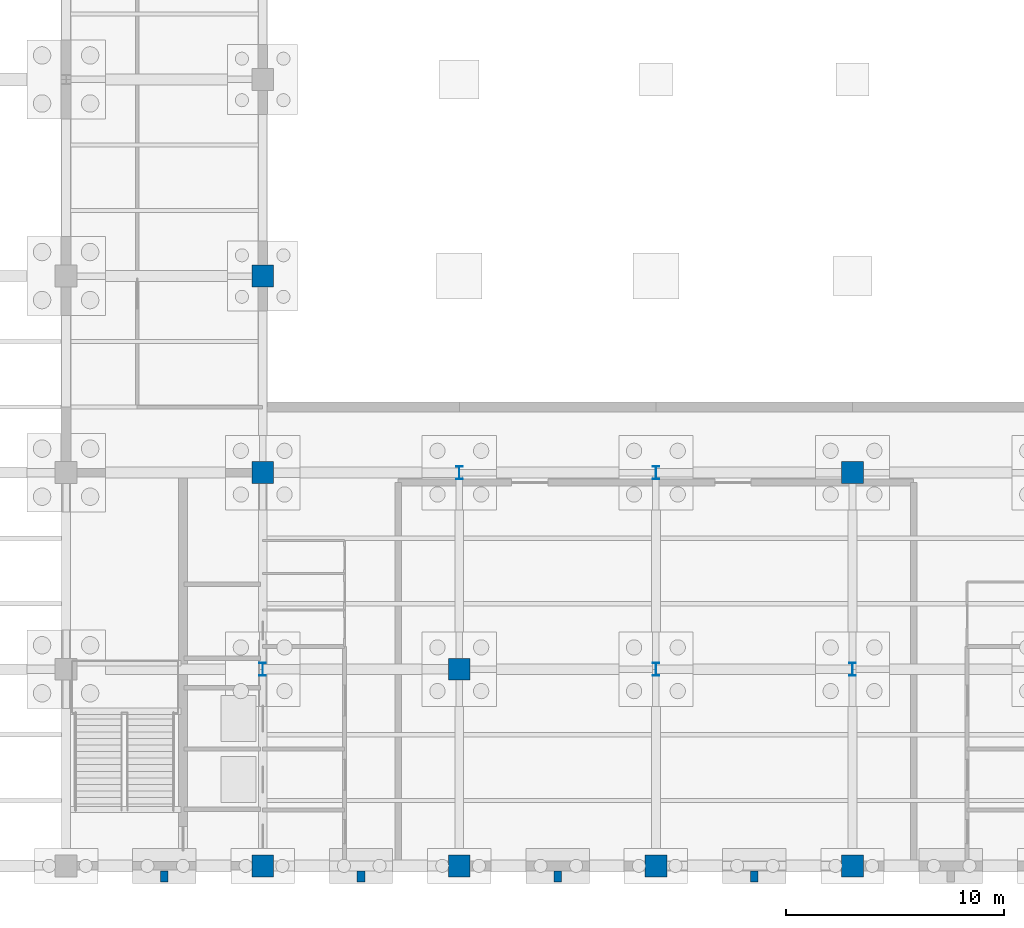
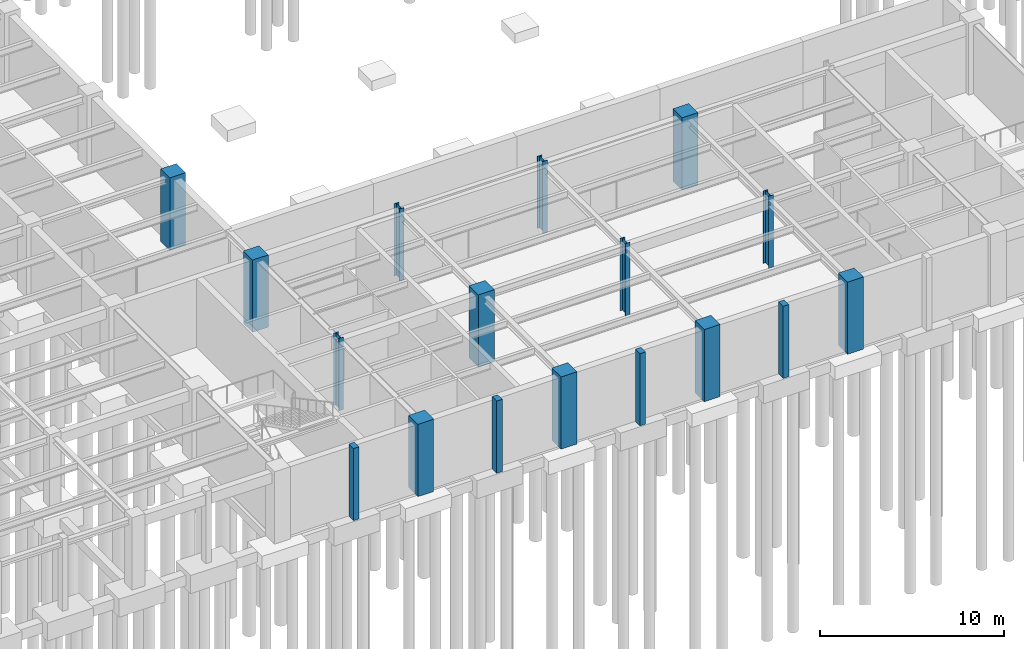
# One storey, part 12 of 49: 17 columns.
"""IFC4 building model written with IfcOpenShell, lengths in metres."""

from ifc_helpers import new_model, si_unit, direction, frame, origin, origin_2d, place, context, subcontext, project, spatial, rectangle, i_section, extrude, material, material_profile, profile_set, type_object, element, save


model = new_model("IFC4")

# Units and contexts
model_context = context("Model", 3, precision=1e-05, world=origin(), true_north=direction((0.0, 1.0)))
body_context = subcontext(model_context, "Body", "Model", "MODEL_VIEW")
ifc_project = project(units=[si_unit("LENGTHUNIT", "METRE"), si_unit("AREAUNIT", "SQUARE_METRE"), si_unit("VOLUMEUNIT", "CUBIC_METRE"), si_unit("PLANEANGLEUNIT", "RADIAN"), si_unit("MASSUNIT", "GRAM", prefix="KILO")], contexts=[model_context])

# Site, building, storey
site_placement = place(None, origin())
site = spatial("IfcSite", under=ifc_project, at=site_placement, CompositionType="ELEMENT")
building_placement = place(site_placement, origin())
building = spatial("IfcBuilding", under=site, at=building_placement, Name="Lykobir Media Centre", CompositionType="ELEMENT")
storey_placement = place(building_placement, frame((0.0, 0.0, -4.800048828125)))
storey = spatial("IfcBuildingStorey", under=building, at=storey_placement, Name="B1", CompositionType="ELEMENT", Elevation=-4.800048828125)

# Columns
ifc_material_1 = material(Name="Honed Travertine Stone", Category="masonry")
ifc_material_profile_1 = material_profile(ifc_material_1, rectangle(XDim=0.35009765625, YDim=0.5, at=origin_2d()), Name="RC PILASTER 500x350")
ifc_profile_set_1 = profile_set([ifc_material_profile_1], Name="Honed Travertine Stone")
column_type_1 = type_object("IfcColumnType", Name="PIL-500", PredefinedType="PILASTER", material=ifc_profile_set_1)
for number, where, z_axis, x_axis, name in (
    (1, (31.5, -0.47998046875, 0.0), (0.0, 0.0, 1.0), (1.0, 0.0, 0.0), "South Revak B1 pier 31.5"),
    (2, (40.5, -0.47998046875, 0.0), (0.0, 0.0, 1.0), (1.0, 0.0, 0.0), "South Revak B1 pier 40.5"),
    (3, (49.5, -0.47998046875, 0.0), (0.0, 0.0, 1.0), (1.0, 0.0, 0.0), "South Revak B1 pier 49.5"),
    (4, (58.5, -0.47998046875, 0.0), (0.0, 0.0, 1.0), (1.0, 0.0, 0.0), "South Revak B1 pier 58.5"),
):
    element("IfcColumn", number, at=place(storey_placement, frame(where, z_axis=z_axis, x_axis=x_axis)), inside=storey, type_object=column_type_1, Name=name, PredefinedType="PILASTER", context=body_context, shape_type="SweptSolid", body=[
        extrude(rectangle(XDim=0.35009765625, YDim=0.5, at=origin_2d()), origin(), (0.0, 0.0, 1.0), 4.800048828125),
    ])
ifc_material_2 = material(Name="Concrete C40/50", Category="concrete")
ifc_material_profile_2 = material_profile(ifc_material_2, rectangle(XDim=1.0, YDim=1.0, at=origin_2d()), Name="RC 1000x1000")
ifc_profile_set_2 = profile_set([ifc_material_profile_2], Name="Concrete C40/50")
column_type_2 = type_object("IfcColumnType", Name="RC-C1000", PredefinedType="COLUMN", material=ifc_profile_set_2)
for number, where, z_axis, x_axis, name in (
    (5, (36.0, 18.0, 0.0), (0.0, 0.0, 1.0), (1.0, 0.0, 0.0), "Column COL-B1-0360-0180"),
    (6, (36.0, 27.0, 0.0), (0.0, 0.0, 1.0), (1.0, 0.0, 0.0), "Column COL-B1-0360-0270"),
    (7, (45.0, 9.0, 0.0), (0.0, 0.0, 1.0), (1.0, 0.0, 0.0), "Column COL-B1-0450-0090"),
    (8, (63.0, 18.0, 0.0), (0.0, 0.0, 1.0), (1.0, 0.0, 0.0), "Column COL-B1-0630-0180"),
):
    element("IfcColumn", number, at=place(storey_placement, frame(where, z_axis=z_axis, x_axis=x_axis)), inside=storey, type_object=column_type_2, Name=name, PredefinedType="COLUMN", context=body_context, shape_type="SweptSolid", body=[
        extrude(rectangle(XDim=1.0, YDim=1.0, at=origin_2d()), origin(), (0.0, 0.0, 1.0), 4.800048828125),
    ])
ifc_material_profile_3 = material_profile(ifc_material_2, rectangle(XDim=1.0, YDim=1.0, at=origin_2d()), Name="RC 1000x1000")
ifc_profile_set_3 = profile_set([ifc_material_profile_3], Name="Concrete C40/50")
column_type_3 = type_object("IfcColumnType", Name="RC-C1000-E", PredefinedType="COLUMN", material=ifc_profile_set_3)
for number, where, z_axis, x_axis, name in (
    (9, (36.0, 0.0, 0.0), (0.0, 0.0, 1.0), (1.0, 0.0, 0.0), "Column COL-B1-0360-0000"),
    (10, (45.0, 0.0, 0.0), (0.0, 0.0, 1.0), (1.0, 0.0, 0.0), "Column COL-B1-0450-0000"),
    (11, (54.0, 0.0, 0.0), (0.0, 0.0, 1.0), (1.0, 0.0, 0.0), "Column COL-B1-0540-0000"),
    (12, (63.0, 0.0, 0.0), (0.0, 0.0, 1.0), (1.0, 0.0, 0.0), "Column COL-B1-0630-0000"),
):
    element("IfcColumn", number, at=place(storey_placement, frame(where, z_axis=z_axis, x_axis=x_axis)), inside=storey, type_object=column_type_3, Name=name, PredefinedType="COLUMN", context=body_context, shape_type="SweptSolid", body=[
        extrude(rectangle(XDim=1.0, YDim=1.0, at=origin_2d()), origin(), (0.0, 0.0, 1.0), 4.800048828125),
    ])
ifc_material_3 = material(Name="Steel S355", Category="steel")
ifc_material_profile_4 = material_profile(ifc_material_3, i_section(OverallWidth=0.300048828125, OverallDepth=0.60009765625, WebThickness=0.015380859375, FlangeThickness=0.030029296875, at=origin_2d()), Name="HEB 600")
ifc_profile_set_4 = profile_set([ifc_material_profile_4], Name="Steel S355")
column_type_4 = type_object("IfcColumnType", Name="SC-HEB600", PredefinedType="COLUMN", material=ifc_profile_set_4)
for number, where, z_axis, x_axis, name in (
    (13, (36.0, 9.0, 0.0), (0.0, 0.0, 1.0), (1.0, 0.0, 0.0), "Column COL-B1-0360-0090"),
    (14, (45.0, 18.0, 0.0), (0.0, 0.0, 1.0), (1.0, 0.0, 0.0), "Column COL-B1-0450-0180"),
    (15, (54.0, 9.0, 0.0), (0.0, 0.0, 1.0), (1.0, 0.0, 0.0), "Column COL-B1-0540-0090"),
    (16, (54.0, 18.0, 0.0), (0.0, 0.0, 1.0), (1.0, 0.0, 0.0), "Column COL-B1-0540-0180"),
    (17, (63.0, 9.0, 0.0), (0.0, 0.0, 1.0), (1.0, 0.0, 0.0), "Column COL-B1-0630-0090"),
):
    element("IfcColumn", number, at=place(storey_placement, frame(where, z_axis=z_axis, x_axis=x_axis)), inside=storey, type_object=column_type_4, Name=name, PredefinedType="COLUMN", context=body_context, shape_type="SweptSolid", body=[
        extrude(i_section(OverallWidth=0.300048828125, OverallDepth=0.60009765625, WebThickness=0.015380859375, FlangeThickness=0.030029296875, at=origin_2d()), origin(), (0.0, 0.0, 1.0), 4.800048828125),
    ])

save(model, "model.ifc")
